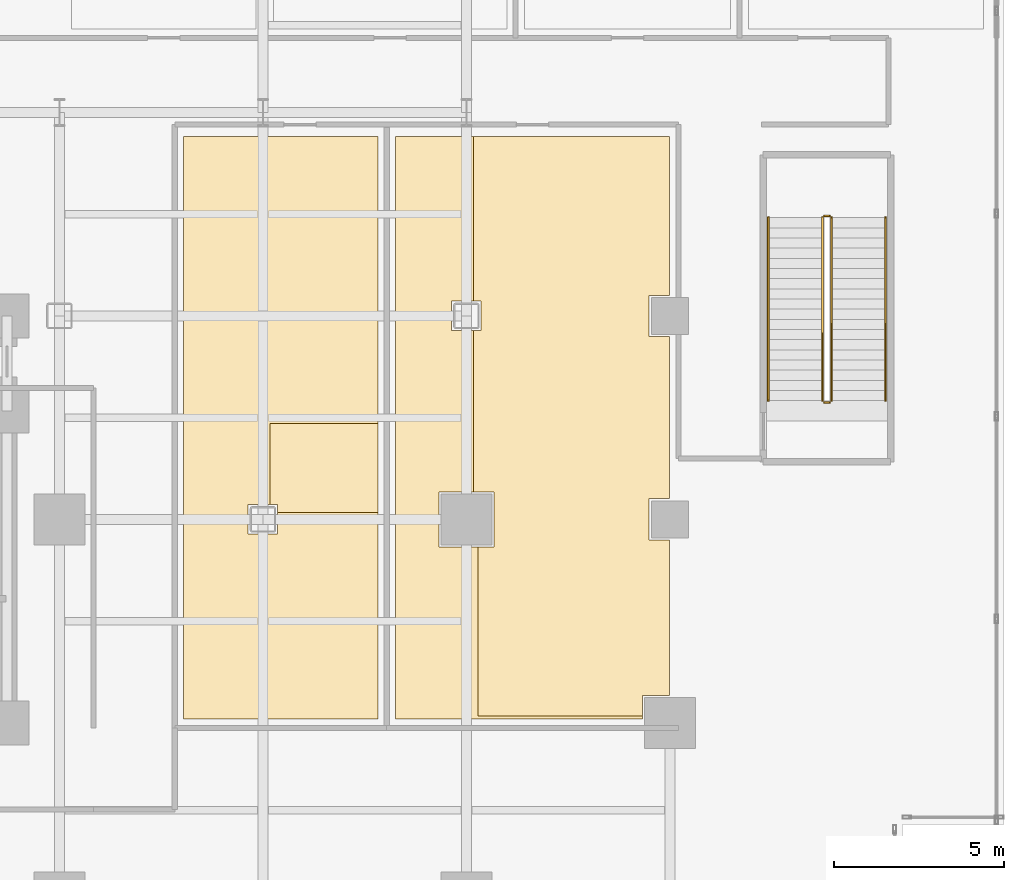
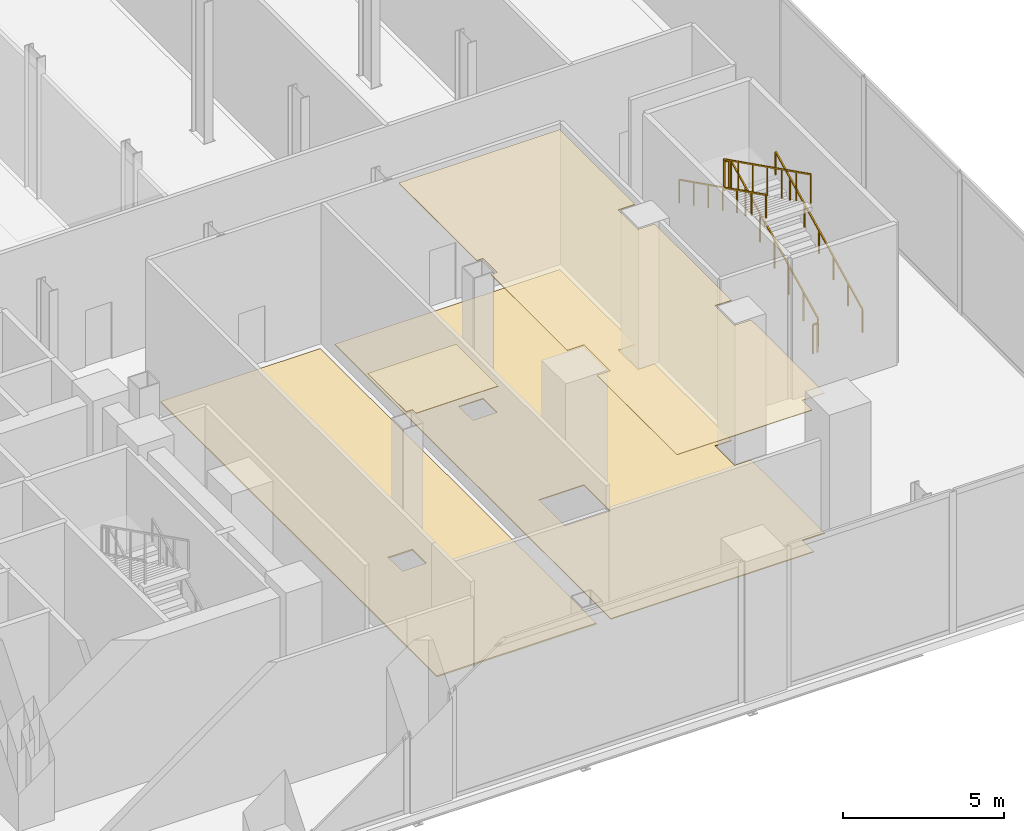
# One storey, part 26 of 27: 6 railings, 4 coverings.
"""IFC4 building model written with IfcOpenShell, lengths in metres."""

from ifc_helpers import new_model, si_unit, direction, frame, origin, origin_2d, place, context, subcontext, project, spatial, polyline, rectangle, outline, extrude, material, layer, layer_set, type_object, element, save


model = new_model("IFC4")

# Units and contexts
model_context = context("Model", 3, precision=1e-05, world=origin(), true_north=direction((0.0, 1.0)))
body_context = subcontext(model_context, "Body", "Model", "MODEL_VIEW")
ifc_project = project(units=[si_unit("LENGTHUNIT", "METRE"), si_unit("AREAUNIT", "SQUARE_METRE"), si_unit("VOLUMEUNIT", "CUBIC_METRE"), si_unit("PLANEANGLEUNIT", "RADIAN"), si_unit("MASSUNIT", "GRAM", prefix="KILO"), si_unit("THERMODYNAMICTEMPERATUREUNIT", "KELVIN"), si_unit("POWERUNIT", "WATT")], contexts=[model_context])

# Site, building, storey
site_placement = place(None, origin())
site = spatial("IfcSite", under=ifc_project, at=site_placement, CompositionType="ELEMENT")
building_placement = place(site_placement, origin())
building = spatial("IfcBuilding", under=site, at=building_placement, Name="Svarakhadi Broadcast Tower", CompositionType="ELEMENT")
storey_placement = place(building_placement, frame((0.0, 0.0, 21.89990234375)))
storey = spatial("IfcBuildingStorey", under=building, at=storey_placement, Name="L04", CompositionType="ELEMENT", Elevation=21.89990234375)

# Coverings
ifc_material_1 = material(Name="Micro-Perforated Mineral Fibre Acoustic Ceiling Tile", Category="mineral_fibre")
ifc_layer_1 = layer(ifc_material_1, 0.02490234375)
ifc_layer_set_1 = layer_set([ifc_layer_1], Name="Micro-Perforated Mineral Fibre Acoustic Ceiling Tile")
covering_type_1 = type_object("IfcCoveringType", Name="Cov_Ceiling_Tile", PredefinedType="CEILING", material=ifc_layer_set_1)
covering_1_placement = place(storey_placement, frame((0.0, 0.0, 5.3251953125)))
element("IfcCovering", 1, at=covering_1_placement, inside=storey, type_object=covering_type_1, Name="L04 L04 Broadcast Newsroom Floor Acoustic Ceiling", PredefinedType="CEILING", context=body_context, shape_type="SweptSolid", body=[
    extrude(outline(polyline([(44.5400390625, 12.2099609375), (41.5849609375, 12.2099609375), (41.5849609375, 12.43505859375), (41.360107421875, 12.43505859375), (41.360107421875, 14.8349609375), (44.5400390625, 14.8349609375), (44.5400390625, 12.2099609375)])), origin(), (0.0, 0.0, 1.0), 0.02490234375),
])
covering_2_placement = place(storey_placement, frame((0.0, 0.0, 5.3251953125)))
element("IfcCovering", 2, at=covering_2_placement, inside=storey, type_object=covering_type_1, Name="L04 L04 Production Control Gallery Acoustic Ceiling", PredefinedType="CEILING", context=body_context, shape_type="SweptSolid", body=[
    extrude(outline(polyline([(53.139892578125, 23.2900390625), (53.139892578125, 18.610107421875), (52.5400390625, 18.610107421875), (52.5400390625, 17.389892578125), (53.139892578125, 17.389892578125), (53.139892578125, 12.610107421875), (52.5400390625, 12.610107421875), (52.5400390625, 11.389892578125), (53.139892578125, 11.389892578125), (53.139892578125, 6.81005859375), (52.340087890625, 6.81005859375), (52.340087890625, 6.2099609375), (47.485107421875, 6.2099609375), (47.485107421875, 11.18994140625), (47.9599609375, 11.18994140625), (47.9599609375, 12.81005859375), (47.360107421875, 12.81005859375), (47.360107421875, 17.56494140625), (47.5849609375, 17.56494140625), (47.5849609375, 18.43505859375), (47.360107421875, 18.43505859375), (47.360107421875, 23.2900390625), (53.139892578125, 23.2900390625)])), origin(), (0.0, 0.0, 1.0), 0.02490234375),
])
ifc_material_2 = material(Name="Heavy-Duty Anti-Static Broadcast Raised Access Floor", Category="steel")
ifc_layer_2 = layer(ifc_material_2, 0.050048828125)
ifc_layer_set_2 = layer_set([ifc_layer_2], Name="Heavy-Duty Anti-Static Broadcast Raised Access Floor")
covering_type_2 = type_object("IfcCoveringType", Name="Cov_Floor_Access", PredefinedType="FLOORING", material=ifc_layer_set_2)
covering_3_placement = place(storey_placement, origin())
element("IfcCovering", 3, at=covering_3_placement, inside=storey, type_object=covering_type_2, Name="L04 L04 Broadcast Newsroom Floor Floor Finish", PredefinedType="FLOORING", context=body_context, shape_type="SweptSolid", body=[
    extrude(outline(polyline([(44.5400390625, 23.2900390625), (44.5400390625, 6.110107421875), (38.81005859375, 6.110107421875), (38.81005859375, 23.2900390625), (44.5400390625, 23.2900390625)]), holes=[polyline([(40.715087890625, 11.56494140625), (41.5849609375, 11.56494140625), (41.5849609375, 12.43505859375), (40.715087890625, 12.43505859375), (40.715087890625, 11.56494140625)])]), origin(), (0.0, 0.0, 1.0), 0.050048828125),
])
ifc_material_3 = material(Name="Honed Konkan Basalt Stone Tile Flooring", Category="masonry")
ifc_layer_3 = layer(ifc_material_3, 0.034912109375)
ifc_layer_set_3 = layer_set([ifc_layer_3], Name="Honed Konkan Basalt Stone Tile Flooring")
covering_type_3 = type_object("IfcCoveringType", Name="Cov_Floor_Basalt", PredefinedType="FLOORING", material=ifc_layer_set_3)
covering_4_placement = place(storey_placement, origin())
element("IfcCovering", 4, at=covering_4_placement, inside=storey, type_object=covering_type_3, Name="L04 L04 Production Control Gallery Floor Finish", PredefinedType="FLOORING", context=body_context, shape_type="SweptSolid", body=[
    extrude(outline(polyline([(53.139892578125, 23.2900390625), (53.139892578125, 18.610107421875), (52.5400390625, 18.610107421875), (52.5400390625, 17.389892578125), (53.139892578125, 17.389892578125), (53.139892578125, 12.610107421875), (52.5400390625, 12.610107421875), (52.5400390625, 11.389892578125), (53.139892578125, 11.389892578125), (53.139892578125, 6.81005859375), (52.340087890625, 6.81005859375), (52.340087890625, 6.110107421875), (45.06005859375, 6.110107421875), (45.06005859375, 23.2900390625), (53.139892578125, 23.2900390625)]), holes=[polyline([(46.340087890625, 11.18994140625), (47.9599609375, 11.18994140625), (47.9599609375, 12.81005859375), (46.340087890625, 12.81005859375), (46.340087890625, 11.18994140625)]), polyline([(46.715087890625, 17.56494140625), (47.5849609375, 17.56494140625), (47.5849609375, 18.43505859375), (46.715087890625, 18.43505859375), (46.715087890625, 17.56494140625)])]), origin(), (0.0, 0.0, 1.0), 0.03515625),
])

# Railings
ifc_material_4 = material(Name="Anodised Bronze Aluminium AA 6063-T6", Category="aluminium")
railing_type_1 = type_object("IfcRailingType", Name="Guard_Stair_GR01", PredefinedType="GUARDRAIL", material=ifc_material_4)
railing_1_placement = place(storey_placement, frame((57.909912109375, 15.5, 0.150146484375)))
element("IfcRailing", 5, at=railing_1_placement, inside=storey, type_object=railing_type_1, Name="L04 ST-04 stair guard 1", PredefinedType="GUARDRAIL", context=body_context, shape_type="SweptSolid", body=[
    extrude(rectangle(XDim=0.048095703125, YDim=0.048095703125, at=origin_2d()), frame((0.0, 0.0, 1.09619140625), z_axis=(0.0, 0.894427191, 0.4472135955), x_axis=(-1.0, 0.0, 0.0)), (0.0, 0.0, 1.0), 6.037353515625),
    extrude(rectangle(XDim=0.0419921875, YDim=0.0419921875, at=origin_2d()), origin(), (0.0, 0.0, 1.0), 1.072021484375),
    extrude(rectangle(XDim=0.0419921875, YDim=0.0419921875, at=origin_2d()), frame((0.0, 0.89990234375, 0.449951171875)), (0.0, 0.0, 1.0), 1.072021484375),
    extrude(rectangle(XDim=0.0419921875, YDim=0.0419921875, at=origin_2d()), frame((0.0, 1.800048828125, 0.89990234375)), (0.0, 0.0, 1.0), 1.072021484375),
    extrude(rectangle(XDim=0.0419921875, YDim=0.0419921875, at=origin_2d()), frame((0.0, 2.699951171875, 1.35009765625)), (0.0, 0.0, 1.0), 1.072021484375),
    extrude(rectangle(XDim=0.0419921875, YDim=0.0419921875, at=origin_2d()), frame((0.0, 3.599853515625, 1.800048828125)), (0.0, 0.0, 1.0), 1.072021484375),
    extrude(rectangle(XDim=0.0419921875, YDim=0.0419921875, at=origin_2d()), frame((0.0, 4.5, 2.25)), (0.0, 0.0, 1.0), 1.072021484375),
    extrude(rectangle(XDim=0.0419921875, YDim=0.0419921875, at=origin_2d()), frame((0.0, 5.39990234375, 2.699951171875)), (0.0, 0.0, 1.0), 1.072021484375),
])
railing_2_placement = place(storey_placement, frame((57.860107421875, 20.949951171875, 2.85009765625)))
element("IfcRailing", 6, at=railing_2_placement, inside=storey, type_object=railing_type_1, Name="L04 ST-04 stair guard 2", PredefinedType="GUARDRAIL", context=body_context, shape_type="SweptSolid", body=[
    extrude(rectangle(XDim=0.048095703125, YDim=0.048095703125, at=origin_2d()), frame((0.0, 0.0, 1.09619140625), z_axis=(-1.0, 0.0, 0.0), x_axis=(0.0, -1.0, 0.0)), (0.0, 0.0, 1.0), 0.16015625),
    extrude(rectangle(XDim=0.0419921875, YDim=0.0419921875, at=origin_2d()), origin(), (0.0, 0.0, 1.0), 1.072021484375),
    extrude(rectangle(XDim=0.0419921875, YDim=0.0419921875, at=origin_2d()), frame((-0.16015625, 0.0, 0.0)), (0.0, 0.0, 1.0), 1.072021484375),
])
railing_3_placement = place(storey_placement, frame((57.64990234375, 20.89990234375, 3.0)))
element("IfcRailing", 7, at=railing_3_placement, inside=storey, type_object=railing_type_1, Name="L04 ST-04 stair guard 3", PredefinedType="GUARDRAIL", context=body_context, shape_type="SweptSolid", body=[
    extrude(rectangle(XDim=0.048095703125, YDim=0.048095703125, at=origin_2d()), frame((0.0, 0.0, 1.09619140625), z_axis=(0.0, -0.894411015155, 0.447245945728), x_axis=(1.0, 0.0, 0.0)), (0.0, 0.0, 1.0), 6.037353515625),
    extrude(rectangle(XDim=0.0419921875, YDim=0.0419921875, at=origin_2d()), origin(), (0.0, 0.0, 1.0), 1.072021484375),
    extrude(rectangle(XDim=0.0419921875, YDim=0.0419921875, at=origin_2d()), frame((0.0, -0.89990234375, 0.449951171875)), (0.0, 0.0, 1.0), 1.072021484375),
    extrude(rectangle(XDim=0.0419921875, YDim=0.0419921875, at=origin_2d()), frame((0.0, -1.800048828125, 0.900146484375)), (0.0, 0.0, 1.0), 1.072021484375),
    extrude(rectangle(XDim=0.0419921875, YDim=0.0419921875, at=origin_2d()), frame((0.0, -2.699951171875, 1.35009765625)), (0.0, 0.0, 1.0), 1.072021484375),
    extrude(rectangle(XDim=0.0419921875, YDim=0.0419921875, at=origin_2d()), frame((0.0, -3.599853515625, 1.800048828125)), (0.0, 0.0, 1.0), 1.072021484375),
    extrude(rectangle(XDim=0.0419921875, YDim=0.0419921875, at=origin_2d()), frame((0.0, -4.5, 2.250244140625)), (0.0, 0.0, 1.0), 1.072021484375),
    extrude(rectangle(XDim=0.0419921875, YDim=0.0419921875, at=origin_2d()), frame((0.0, -5.39990234375, 2.7001953125)), (0.0, 0.0, 1.0), 1.072021484375),
])
railing_4_placement = place(storey_placement, frame((57.860107421875, 15.449951171875, 0.0)))
element("IfcRailing", 8, at=railing_4_placement, inside=storey, type_object=railing_type_1, Name="L04 ST-04 stair guard 4", PredefinedType="GUARDRAIL", context=body_context, shape_type="SweptSolid", body=[
    extrude(rectangle(XDim=0.048095703125, YDim=0.048095703125, at=origin_2d()), frame((0.0, 0.0, 1.09619140625), z_axis=(-1.0, 0.0, 0.0), x_axis=(0.0, -1.0, 0.0)), (0.0, 0.0, 1.0), 0.16015625),
    extrude(rectangle(XDim=0.0419921875, YDim=0.0419921875, at=origin_2d()), origin(), (0.0, 0.0, 1.0), 1.072021484375),
    extrude(rectangle(XDim=0.0419921875, YDim=0.0419921875, at=origin_2d()), frame((-0.16015625, 0.0, 0.0)), (0.0, 0.0, 1.0), 1.072021484375),
])
railing_type_2 = type_object("IfcRailingType", Name="Handrail_Stair_HR01", PredefinedType="HANDRAIL", material=ifc_material_4)
railing_5_placement = place(storey_placement, frame((59.510009765625, 15.5, 0.150146484375)))
element("IfcRailing", 9, at=railing_5_placement, inside=storey, type_object=railing_type_2, Name="L04 ST-04 stair handrail 1", PredefinedType="HANDRAIL", context=body_context, shape_type="SweptSolid", body=[
    extrude(rectangle(XDim=0.048095703125, YDim=0.048095703125, at=origin_2d()), frame((0.0, 0.0, 0.8759765625), z_axis=(0.0, 0.894427191, 0.4472135955), x_axis=(-1.0, 0.0, 0.0)), (0.0, 0.0, 1.0), 6.037353515625),
    extrude(rectangle(XDim=0.0419921875, YDim=0.0419921875, at=origin_2d()), origin(), (0.0, 0.0, 1.0), 0.851806640625),
    extrude(rectangle(XDim=0.0419921875, YDim=0.0419921875, at=origin_2d()), frame((0.0, 0.89990234375, 0.449951171875)), (0.0, 0.0, 1.0), 0.851806640625),
    extrude(rectangle(XDim=0.0419921875, YDim=0.0419921875, at=origin_2d()), frame((0.0, 1.800048828125, 0.89990234375)), (0.0, 0.0, 1.0), 0.851806640625),
    extrude(rectangle(XDim=0.0419921875, YDim=0.0419921875, at=origin_2d()), frame((0.0, 2.699951171875, 1.35009765625)), (0.0, 0.0, 1.0), 0.851806640625),
    extrude(rectangle(XDim=0.0419921875, YDim=0.0419921875, at=origin_2d()), frame((0.0, 3.599853515625, 1.800048828125)), (0.0, 0.0, 1.0), 0.851806640625),
    extrude(rectangle(XDim=0.0419921875, YDim=0.0419921875, at=origin_2d()), frame((0.0, 4.5, 2.25)), (0.0, 0.0, 1.0), 0.851806640625),
    extrude(rectangle(XDim=0.0419921875, YDim=0.0419921875, at=origin_2d()), frame((0.0, 5.39990234375, 2.699951171875)), (0.0, 0.0, 1.0), 0.851806640625),
])
railing_6_placement = place(storey_placement, frame((56.050048828125, 20.89990234375, 3.0)))
element("IfcRailing", 10, at=railing_6_placement, inside=storey, type_object=railing_type_2, Name="L04 ST-04 stair handrail 2", PredefinedType="HANDRAIL", context=body_context, shape_type="SweptSolid", body=[
    extrude(rectangle(XDim=0.048095703125, YDim=0.048095703125, at=origin_2d()), frame((0.0, 0.0, 0.8759765625), z_axis=(0.0, -0.894411015155, 0.447245945728), x_axis=(1.0, 0.0, 0.0)), (0.0, 0.0, 1.0), 6.037353515625),
    extrude(rectangle(XDim=0.0419921875, YDim=0.0419921875, at=origin_2d()), origin(), (0.0, 0.0, 1.0), 0.851806640625),
    extrude(rectangle(XDim=0.0419921875, YDim=0.0419921875, at=origin_2d()), frame((0.0, -0.89990234375, 0.449951171875)), (0.0, 0.0, 1.0), 0.851806640625),
    extrude(rectangle(XDim=0.0419921875, YDim=0.0419921875, at=origin_2d()), frame((0.0, -1.800048828125, 0.900146484375)), (0.0, 0.0, 1.0), 0.851806640625),
    extrude(rectangle(XDim=0.0419921875, YDim=0.0419921875, at=origin_2d()), frame((0.0, -2.699951171875, 1.35009765625)), (0.0, 0.0, 1.0), 0.851806640625),
    extrude(rectangle(XDim=0.0419921875, YDim=0.0419921875, at=origin_2d()), frame((0.0, -3.599853515625, 1.800048828125)), (0.0, 0.0, 1.0), 0.851806640625),
    extrude(rectangle(XDim=0.0419921875, YDim=0.0419921875, at=origin_2d()), frame((0.0, -4.5, 2.250244140625)), (0.0, 0.0, 1.0), 0.851806640625),
    extrude(rectangle(XDim=0.0419921875, YDim=0.0419921875, at=origin_2d()), frame((0.0, -5.39990234375, 2.7001953125)), (0.0, 0.0, 1.0), 0.851806640625),
])

save(model, "model.ifc")
